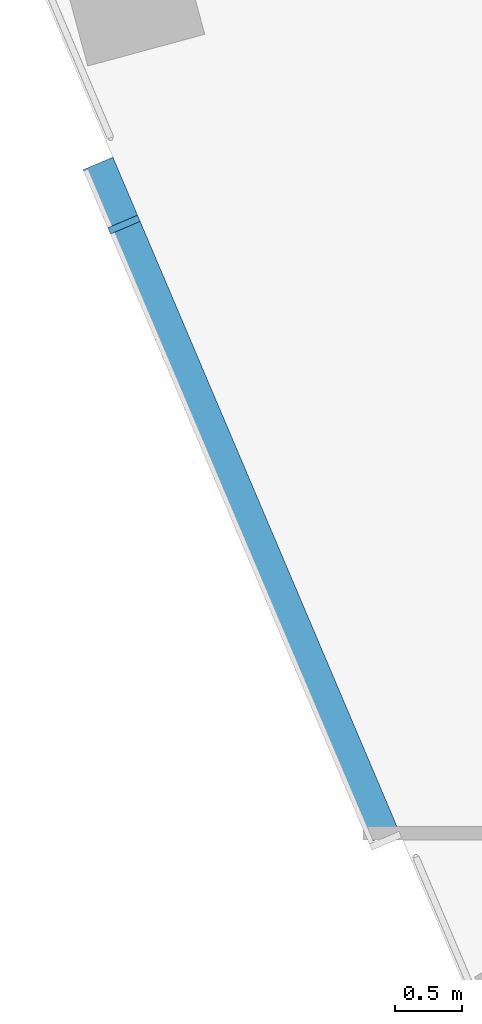
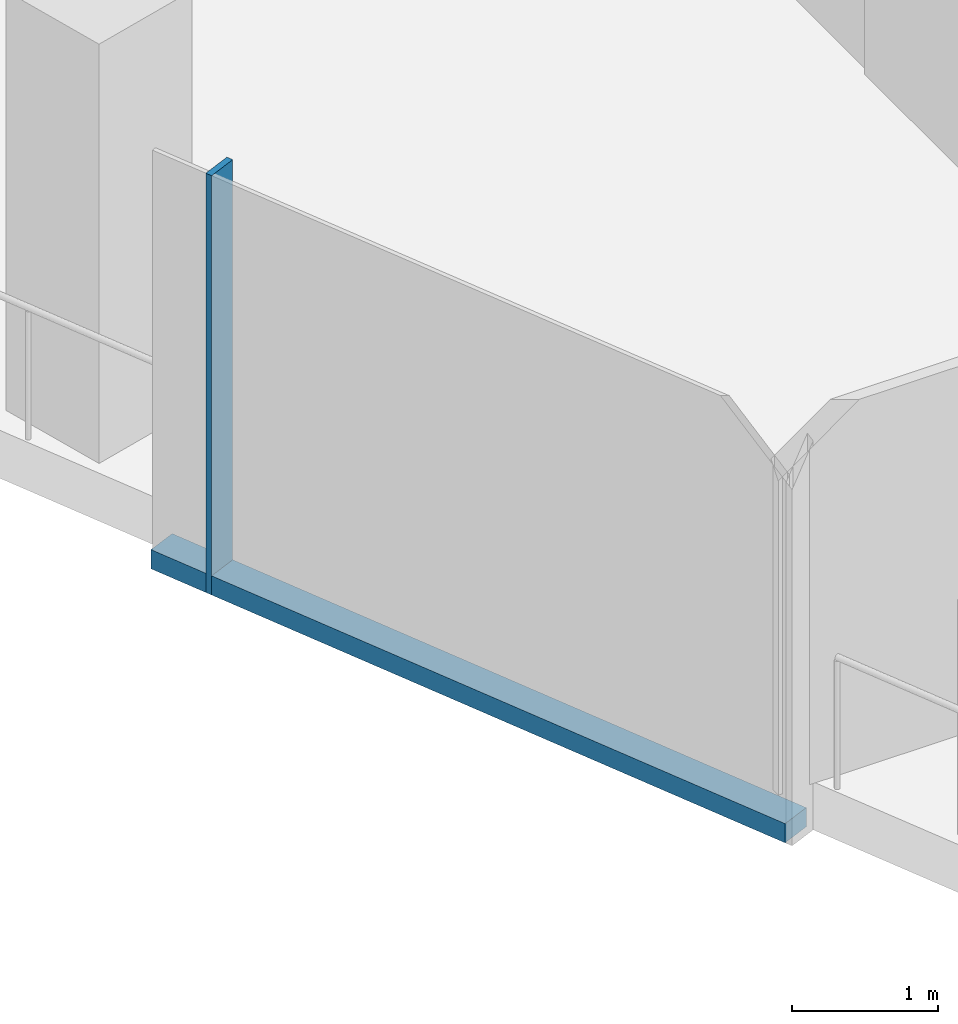
# One storey, part 3 of 26: 2 members, 1 element without a shape of its own.
"""IFC4 building model written with IfcOpenShell, lengths in metres."""

from ifc_helpers import new_model, si_unit, direction, frame, origin, origin_2d, place, context, subcontext, project, spatial, rectangle, extrude, material, material_profile, profile_set, type_object, element, aggregate, save


model = new_model("IFC4")

# Units and contexts
model_context = context("Model", 3, precision=1e-05, world=origin(), true_north=direction((0.0, 1.0)))
body_context = subcontext(model_context, "Body", "Model", "MODEL_VIEW")
ifc_project = project(units=[si_unit("LENGTHUNIT", "METRE"), si_unit("AREAUNIT", "SQUARE_METRE"), si_unit("VOLUMEUNIT", "CUBIC_METRE"), si_unit("PLANEANGLEUNIT", "RADIAN"), si_unit("MASSUNIT", "GRAM", prefix="KILO")], contexts=[model_context])

# Site, building, storey
site_placement = place(None, origin())
site = spatial("IfcSite", under=ifc_project, at=site_placement, CompositionType="ELEMENT")
building_placement = place(site_placement, origin())
building = spatial("IfcBuilding", under=site, at=building_placement, Name="Orlundy Tower", CompositionType="ELEMENT")
storey_placement = place(building_placement, frame((0.0, 0.0, 275.39990234375)))
storey = spatial("IfcBuildingStorey", under=building, at=storey_placement, Name="L73", CompositionType="ELEMENT", Elevation=275.39990234375)

# Curtain wall, members
ifc_material_1 = material(Name="Aluminium bronze anodised", Category="aluminium")
curtain_wall_type = type_object("IfcCurtainWallType", Name="CW6 wall", PredefinedType="NOTDEFINED", material=ifc_material_1)
curtain_wall_placement = place(storey_placement, origin())
curtain_wall = element("IfcCurtainWall", 1, at=curtain_wall_placement, inside=storey, type_object=curtain_wall_type, Name="CW6 run 014", PredefinedType="NOTDEFINED")
ifc_material_2 = material(Name="Aluminium bronze anodised", Category="aluminium")
ifc_material_profile_1 = material_profile(ifc_material_2, rectangle(XDim=0.239990234375, YDim=0.050048828125, at=origin_2d()), Name="CW6 mullion 50x240")
ifc_profile_set_1 = profile_set([ifc_material_profile_1], Name="Aluminium bronze anodised")
member_type_1 = type_object("IfcMemberType", Name="CW6 mullion 50x240", PredefinedType="MULLION", material=ifc_profile_set_1)
member_1_placement = place(storey_placement, frame((-28.697021484375, -9.481201171875, -0.39990234375), z_axis=(0.0, 0.0, 1.0), x_axis=(-0.920506804854, -0.390726531244, 0.0)))
member_1 = element("IfcMember", 2, at=member_1_placement, type_object=member_type_1, Name="CW6 mullion 25", PredefinedType="MULLION", context=body_context, shape_type="SweptSolid", body=[
    extrude(rectangle(XDim=0.239990234375, YDim=0.050048828125, at=origin_2d()), origin(), (0.0, 0.0, 1.0), 3.5),
])
ifc_material_3 = material(Name="Aluminium bronze anodised", Category="aluminium")
ifc_material_profile_2 = material_profile(ifc_material_3, rectangle(XDim=0.239990234375, YDim=0.159912109375, at=origin_2d()), Name="CW6 transom 240x160")
ifc_profile_set_2 = profile_set([ifc_material_profile_2], Name="Aluminium bronze anodised")
member_type_2 = type_object("IfcMemberType", Name="CW6 transom 240x160", PredefinedType="USERDEFINED", material=ifc_profile_set_2)
member_2_placement = place(storey_placement, frame((-26.768310546875, -14.02490234375, -0.31982421875), z_axis=(-0.390736902907, 0.920502402336, 0.0), x_axis=(-0.920502402336, -0.390736902907, 0.0)))
member_2 = element("IfcMember", 3, at=member_2_placement, type_object=member_type_2, Name="CW6 transom", ObjectType="TRANSOM", PredefinedType="USERDEFINED", context=body_context, shape_type="SweptSolid", body=[
    extrude(rectangle(XDim=0.239990234375, YDim=0.159912109375, at=origin_2d()), origin(), (0.0, 0.0, 1.0), 5.4296875),
])
aggregate(curtain_wall, [member_1, member_2])

save(model, "model.ifc")
